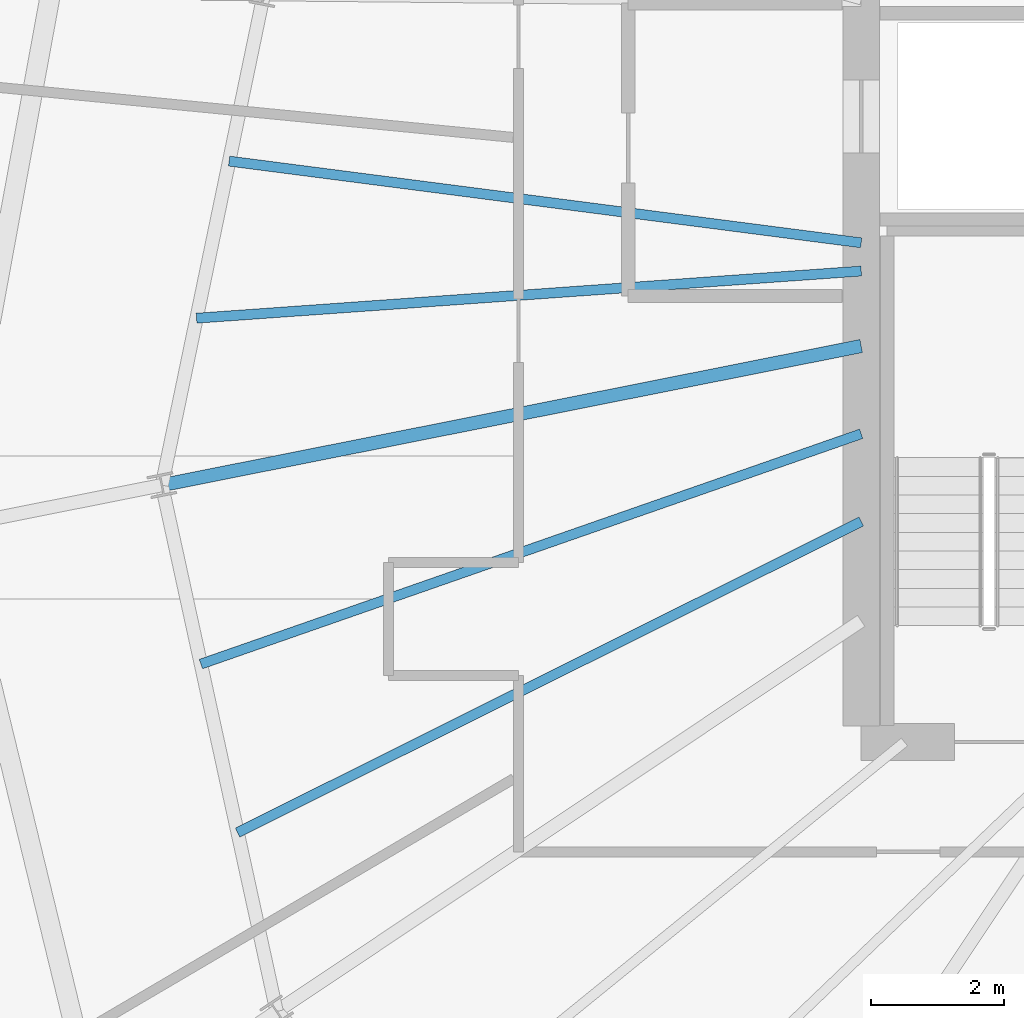
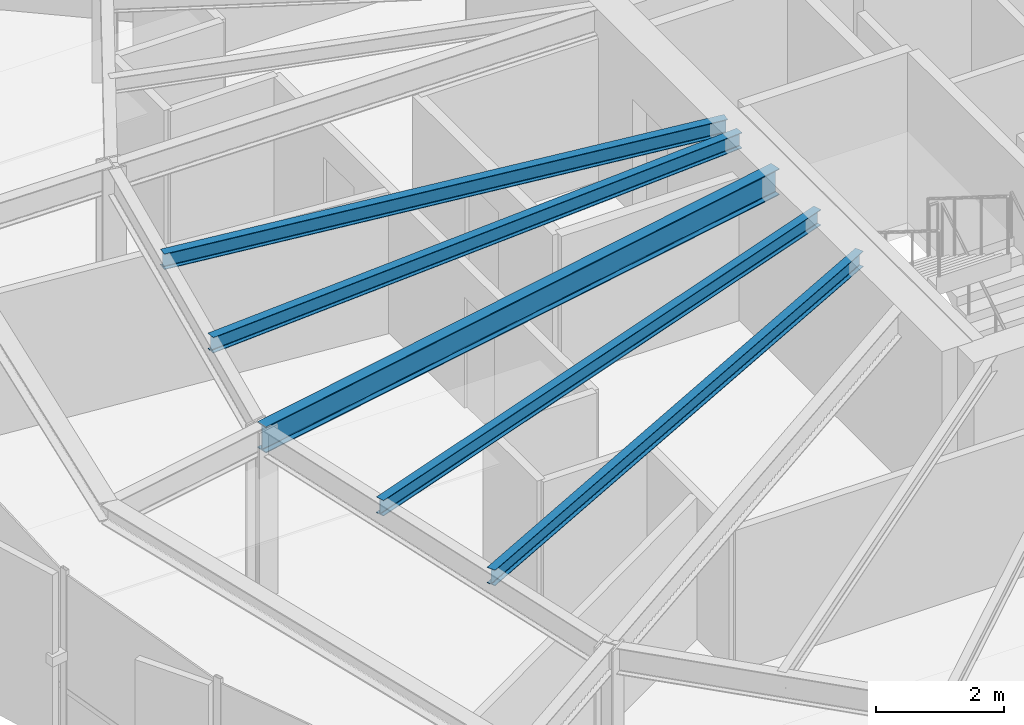
# One storey, part 10 of 34: 5 beams.
"""IFC4 building model written with IfcOpenShell, lengths in metres."""

import ifcopenshell
import ifcopenshell.guid

model = None  # the IFC model being written
_history = None  # IfcOwnerHistory: only IFC2X3 demands one
_inside = {}  # id of a spatial element -> (the spatial element, [elements in it])
_under = {}  # id of a project, library or spatial element -> (it, [spatial elements below it])
_declared = {}  # id of a project -> (the project, [libraries it declares])
_typed = {}  # id of a type object -> (the type object, [elements of that type])
_made_of = {}  # id of a material, layer set ... -> (it, [elements and type objects made of it])


def new_model(schema):
    """Start an empty IFC model of exactly this schema.

    Asked for "IFC4X3", IfcOpenShell would pick the latest addendum, in which some entities
    have other attributes; the version numbers below select the first issue.
    IFC2X3 requires an IfcOwnerHistory on every rooted entity: one is made here for all.
    """
    global model, _history
    if schema == "IFC4X3":
        model = ifcopenshell.file(schema_version=(4, 3, 0, 0))
    else:
        model = ifcopenshell.file(schema=schema)
    _inside.clear()
    _under.clear()
    _declared.clear()
    _typed.clear()
    _made_of.clear()
    _history = None
    if model.schema == "IFC2X3":
        org = make("IfcOrganization", Name="unknown")
        user = make(
            "IfcPersonAndOrganization",
            ThePerson=make("IfcPerson", FamilyName="unknown"),
            TheOrganization=org,
        )
        app = make(
            "IfcApplication",
            ApplicationDeveloper=org,
            Version="unknown",
            ApplicationFullName="unknown",
            ApplicationIdentifier="unknown",
        )
        _history = make(
            "IfcOwnerHistory",
            OwningUser=user,
            OwningApplication=app,
            ChangeAction="ADDED",
            CreationDate=0,
        )
    return model


def make(cls, **values):
    """One entity of the class cls with the attributes given. An attribute that is None is left unset."""
    return model.create_entity(
        cls, **{name: value for name, value in values.items() if value is not None}
    )


def rooted(cls, **values):
    """An entity with a GlobalId (a new one), such as an element, a storey or a relation."""
    return make(cls, GlobalId=ifcopenshell.guid.new(), OwnerHistory=_history, **values)


def si_unit(unit_type, name, prefix=None):
    """IfcSIUnit, for example si_unit("LENGTHUNIT", "METRE", prefix="MILLI")."""
    return make("IfcSIUnit", UnitType=unit_type, Prefix=prefix, Name=name)


def assignment(units):
    """IfcUnitAssignment: the units of a project."""
    return None if units is None else make("IfcUnitAssignment", Units=units)


def point(xyz):
    """IfcCartesianPoint."""
    return None if xyz is None else make("IfcCartesianPoint", Coordinates=xyz)


def direction(xyz):
    """IfcDirection."""
    return None if xyz is None else make("IfcDirection", DirectionRatios=xyz)


def frame(location, z_axis=None, x_axis=None):
    """IfcAxis2Placement3D, a coordinate frame: its origin and axes. An axis left out is left unset."""
    return make(
        "IfcAxis2Placement3D",
        Location=point(location),
        Axis=direction(z_axis),
        RefDirection=direction(x_axis),
    )


def frame_2d(location, x_axis=None):
    """IfcAxis2Placement2D, a coordinate frame in the plane: its origin and x axis."""
    return make(
        "IfcAxis2Placement2D", Location=point(location), RefDirection=direction(x_axis)
    )


def origin():
    """The frame at (0, 0, 0) with its axes left unset."""
    return frame((0.0, 0.0, 0.0))


def origin_2d():
    """The frame at (0, 0) in the plane with its x axis left unset."""
    return frame_2d((0.0, 0.0))


def place(relative_to, where):
    """IfcLocalPlacement: puts the frame where relative to a parent placement (None: the world)."""
    return make(
        "IfcLocalPlacement", PlacementRelTo=relative_to, RelativePlacement=where
    )


def context(
    kind, dimensions, precision=None, world=None, true_north=None, identifier=None
):
    """IfcGeometricRepresentationContext, for example the 3D "Model" context."""
    return make(
        "IfcGeometricRepresentationContext",
        ContextIdentifier=identifier,
        ContextType=kind,
        CoordinateSpaceDimension=dimensions,
        Precision=precision,
        WorldCoordinateSystem=world,
        TrueNorth=true_north,
    )


def subcontext(parent, identifier, kind, view, scale=None):
    """IfcGeometricRepresentationSubContext, for example "Body" below "Model"."""
    return make(
        "IfcGeometricRepresentationSubContext",
        ContextIdentifier=identifier,
        ContextType=kind,
        ParentContext=parent,
        TargetScale=scale,
        TargetView=view,
    )


def project(units=None, contexts=None):
    """IfcProject with its units and contexts."""
    return rooted(
        "IfcProject",
        Name="project",
        RepresentationContexts=contexts,
        UnitsInContext=assignment(units),
    )


def spatial(cls, under=None, at=None, **own):
    """A site, building, storey or space (cls), placed at a placement, below another one or the project."""
    s = rooted(cls, ObjectPlacement=at, **own)
    if under is not None:
        _under.setdefault(under.id(), (under, []))[1].append(s)
    return s


def profile(cls, at=None, kind="AREA", **sizes):
    """A parametric profile (cls). Its sizes go by their IFC names, for example OverallWidth=200.0."""
    return make(cls, ProfileType=kind, Position=at, **sizes)


def i_section(**sizes):
    """IfcIShapeProfileDef."""
    return profile("IfcIShapeProfileDef", **sizes)


def extrude(swept, where, along, depth):
    """IfcExtrudedAreaSolid: the profile swept, set in the frame where, extruded along a direction by depth."""
    return make(
        "IfcExtrudedAreaSolid",
        SweptArea=swept,
        Position=where,
        ExtrudedDirection=direction(along),
        Depth=depth,
    )


def shape(context_of_items, identifier, shape_type, items):
    """IfcShapeRepresentation: the items that make up one representation, for example the "Body"."""
    return make(
        "IfcShapeRepresentation",
        ContextOfItems=context_of_items,
        RepresentationIdentifier=identifier,
        RepresentationType=shape_type,
        Items=items,
    )


def source(mapping_origin, context_of_items, identifier, shape_type, items):
    """IfcRepresentationMap: a shape defined once, which mapped items show again and again."""
    return make(
        "IfcRepresentationMap",
        MappingOrigin=mapping_origin,
        MappedRepresentation=shape(context_of_items, identifier, shape_type, items),
    )


def transform(
    local_origin,
    x_axis=None,
    y_axis=None,
    z_axis=None,
    scale=None,
    scale2=None,
    scale3=None,
    uniform=True,
):
    """IfcCartesianTransformationOperator3D, or its non-uniform kind. x_axis, y_axis, z_axis: its Axis1, 2, 3."""
    if uniform:
        return make(
            "IfcCartesianTransformationOperator3D",
            Axis1=direction(x_axis),
            Axis2=direction(y_axis),
            LocalOrigin=point(local_origin),
            Scale=scale,
            Axis3=direction(z_axis),
        )
    return make(
        "IfcCartesianTransformationOperator3DnonUniform",
        Axis1=direction(x_axis),
        Axis2=direction(y_axis),
        LocalOrigin=point(local_origin),
        Scale=scale,
        Axis3=direction(z_axis),
        Scale2=scale2,
        Scale3=scale3,
    )


def mapped(mapping_source, mapping_target):
    """IfcMappedItem: shows the shape of a source again, moved by a transform."""
    return make(
        "IfcMappedItem", MappingSource=mapping_source, MappingTarget=mapping_target
    )


def material(Name=None, Category=None):
    """IfcMaterial."""
    return make("IfcMaterial", Name=Name, Category=Category)


def material_profile(
    of_material, cross_section, Name=None, Category=None, Priority=None
):
    """IfcMaterialProfile: a cross section and its material."""
    return make(
        "IfcMaterialProfile",
        Name=Name,
        Material=of_material,
        Profile=cross_section,
        Priority=Priority,
        Category=Category,
    )


def profile_set(profiles, Name=None, composite=None):
    """IfcMaterialProfileSet."""
    return make(
        "IfcMaterialProfileSet",
        Name=Name,
        MaterialProfiles=profiles,
        CompositeProfile=composite,
    )


def made_of(thing, what):
    """Note that an element or type object is made of a material, layer set ...; save() writes the relation."""
    if what is not None:
        _made_of.setdefault(what.id(), (what, []))[1].append(thing)
    return thing


def type_object(cls, material=None, **own):
    """A type object (cls), such as IfcWallType, which elements share."""
    return made_of(rooted(cls, **own), material)


def element(
    cls,
    number,
    at=None,
    inside=None,
    cuts=None,
    type_object=None,
    material=None,
    context=None,
    identifier="Body",
    shape_type=None,
    held_by="IfcProductDefinitionShape",
    body=None,
    shapes=None,
    **own,
):
    """One element of the class cls, such as IfcWall. Its Tag is "e" and its number.

    at: its placement. inside: the storey or other place that contains it. cuts: it is an
    opening in that element (IfcRelVoidsElement). A single representation is given by context,
    identifier, shape_type and body (its items); several are given by shapes. held_by: the class
    of the entity that holds the representations. save() writes the other relations.
    """
    e = rooted(cls, Tag="e%d" % number, ObjectPlacement=at, **own)
    if body is not None:
        shapes = [shape(context, identifier, shape_type, body)]
    if shapes is not None:
        e.Representation = make(held_by, Representations=shapes)
    if inside is not None:
        _inside.setdefault(inside.id(), (inside, []))[1].append(e)
    if cuts is not None:
        rooted(
            "IfcRelVoidsElement", RelatingBuildingElement=cuts, RelatedOpeningElement=e
        )
    if type_object is not None:
        _typed.setdefault(type_object.id(), (type_object, []))[1].append(e)
    return made_of(e, material)


def aggregate(whole, parts):
    """IfcRelAggregates: a whole, such as a stair, and the parts it consists of."""
    return rooted("IfcRelAggregates", RelatingObject=whole, RelatedObjects=parts)


def save(model, path):
    """Write the relations noted so far, then the file.

    IfcRelAggregates (storeys below a building ...), IfcRelContainedInSpatialStructure (elements
    in a storey), IfcRelDefinesByType, IfcRelAssociatesMaterial and IfcRelDeclares: one each for
    every whole, place, type object, material and project.
    """
    for whole, parts in _under.values():
        aggregate(whole, parts)
    for where, things in _inside.values():
        rooted(
            "IfcRelContainedInSpatialStructure",
            RelatedElements=things,
            RelatingStructure=where,
        )
    for kind, things in _typed.values():
        rooted("IfcRelDefinesByType", RelatedObjects=things, RelatingType=kind)
    for what, things in _made_of.values():
        rooted("IfcRelAssociatesMaterial", RelatedObjects=things, RelatingMaterial=what)
    for by, libraries in _declared.values():
        rooted("IfcRelDeclares", RelatingContext=by, RelatedDefinitions=libraries)
    model.write(path)


model = new_model("IFC4")

# Units and contexts
model_context = context("Model", 3, precision=1e-05, world=origin(), true_north=direction((0.0, 1.0)))
body_context = subcontext(model_context, "Body", "Model", "MODEL_VIEW")
ifc_project = project(units=[si_unit("LENGTHUNIT", "METRE"), si_unit("AREAUNIT", "SQUARE_METRE"), si_unit("VOLUMEUNIT", "CUBIC_METRE"), si_unit("PLANEANGLEUNIT", "RADIAN"), si_unit("MASSUNIT", "GRAM", prefix="KILO"), si_unit("THERMODYNAMICTEMPERATUREUNIT", "KELVIN")], contexts=[model_context])

# Site, building, storey
site_placement = place(None, origin())
site = spatial("IfcSite", under=ifc_project, at=site_placement, CompositionType="ELEMENT")
building_placement = place(site_placement, origin())
building = spatial("IfcBuilding", under=site, at=building_placement, Name="Kethvar Cultural Tower", CompositionType="ELEMENT")
storey_placement = place(building_placement, frame((0.0, 0.0, 190.39990234375)))
storey = spatial("IfcBuildingStorey", under=building, at=storey_placement, Name="L49", CompositionType="ELEMENT", Elevation=190.39990234375)

# Beams
ifc_material = material(Name="Steel S355J2", Category="steel")
ifc_material_profile_1 = material_profile(ifc_material, i_section(OverallWidth=0.199951171875, OverallDepth=0.5, WebThickness=0.01025390625, FlangeThickness=0.01611328125, FilletRadius=0.02099609375, at=origin_2d()), Name="Steel S355J2 — IPE500")
ifc_profile_set_1 = profile_set([ifc_material_profile_1], Name="Steel S355J2 — IPE500")
beam_type_1 = type_object("IfcBeamType", Name="BM-IPE500", PredefinedType="BEAM", material=ifc_profile_set_1)
shared_shape_1 = source(origin(), body_context, "Body", "SweptSolid", [
    extrude(i_section(OverallWidth=0.199951171875, OverallDepth=0.5, WebThickness=0.01025390625, FlangeThickness=0.01611328125, FilletRadius=0.02099609375, at=origin_2d()), origin(), (0.0, 0.0, 1.0), 10.712890625),
])
beam_1_placement = place(storey_placement, frame((38.0, 26.049560546875, 3.008056640625), z_axis=(-0.980787859831, -0.195077353908, 0.0), x_axis=(0.195077353908, -0.980787859831, 0.0)))
element("IfcBeam", 1, at=beam_1_placement, inside=storey, type_object=beam_type_1, Name="L49 Primary Radial Beam RB-09", PredefinedType="BEAM", context=body_context, shape_type="MappedRepresentation", body=[
    mapped(shared_shape_1, transform((0.0, 0.0, 0.0), scale=1.0)),
])
ifc_material_profile_2 = material_profile(ifc_material, i_section(OverallWidth=0.14990234375, OverallDepth=0.300048828125, WebThickness=0.007080078125, FlangeThickness=0.0107421875, FilletRadius=0.014892578125, at=origin_2d()), Name="Steel S355J2 — IPE300")
ifc_profile_set_2 = profile_set([ifc_material_profile_2], Name="Steel S355J2 — IPE300")
beam_type_2 = type_object("IfcBeamType", Name="BM-J300", PredefinedType="JOIST", material=ifc_profile_set_2)
shared_shape_2 = source(origin(), body_context, "Body", "SweptSolid", [
    extrude(i_section(OverallWidth=0.14990234375, OverallDepth=0.300048828125, WebThickness=0.007080078125, FlangeThickness=0.0107421875, FilletRadius=0.014892578125, at=origin_2d()), origin(), (0.0, 0.0, 1.0), 9.5751953125),
])
beam_2_placement = place(storey_placement, frame((38.0, 27.60009765625, 3.108154296875), z_axis=(-0.991744950922, 0.128226176424, 0.0), x_axis=(-0.128226176424, -0.991744950922, 0.0)))
element("IfcBeam", 2, at=beam_2_placement, inside=storey, type_object=beam_type_2, Name="L49 Composite Floor Joist J-08A", PredefinedType="JOIST", context=body_context, shape_type="MappedRepresentation", body=[
    mapped(shared_shape_2, transform((0.0, 0.0, 0.0), scale=1.0)),
])
shared_shape_3 = source(origin(), body_context, "Body", "SweptSolid", [
    extrude(i_section(OverallWidth=0.14990234375, OverallDepth=0.300048828125, WebThickness=0.007080078125, FlangeThickness=0.0107421875, FilletRadius=0.014892578125, at=origin_2d()), origin(), (0.0, 0.0, 1.0), 10.01123046875),
])
beam_3_placement = place(storey_placement, frame((38.0, 27.17578125, 3.108154296875), z_axis=(-0.997494349679, -0.070746182637, 0.0), x_axis=(0.070746182637, -0.997494349679, 0.0)))
element("IfcBeam", 3, at=beam_3_placement, inside=storey, type_object=beam_type_2, Name="L49 Composite Floor Joist J-08B", PredefinedType="JOIST", context=body_context, shape_type="MappedRepresentation", body=[
    mapped(shared_shape_3, transform((0.0, 0.0, 0.0), scale=1.0)),
])
shared_shape_4 = source(origin(), body_context, "Body", "SweptSolid", [
    extrude(i_section(OverallWidth=0.14990234375, OverallDepth=0.300048828125, WebThickness=0.007080078125, FlangeThickness=0.0107421875, FilletRadius=0.014892578125, at=origin_2d()), origin(), (0.0, 0.0, 1.0), 10.506591796875),
])
beam_4_placement = place(storey_placement, frame((38.0, 24.73095703125, 3.108154296875), z_axis=(-0.944221858738, -0.329310008171, 0.0), x_axis=(0.329310008171, -0.944221858738, 0.0)))
element("IfcBeam", 4, at=beam_4_placement, inside=storey, type_object=beam_type_2, Name="L49 Composite Floor Joist J-09A", PredefinedType="JOIST", context=body_context, shape_type="MappedRepresentation", body=[
    mapped(shared_shape_4, transform((0.0, 0.0, 0.0), scale=1.0)),
])
shared_shape_5 = source(origin(), body_context, "Body", "SweptSolid", [
    extrude(i_section(OverallWidth=0.14990234375, OverallDepth=0.300048828125, WebThickness=0.007080078125, FlangeThickness=0.0107421875, FilletRadius=0.014892578125, at=origin_2d()), origin(), (0.0, 0.0, 1.0), 10.468994140625),
])
beam_5_placement = place(storey_placement, frame((38.0, 23.412109375, 3.108154296875), z_axis=(-0.894916380948, -0.446233874904, 0.0), x_axis=(0.446233874904, -0.894916380948, 0.0)))
element("IfcBeam", 5, at=beam_5_placement, inside=storey, type_object=beam_type_2, Name="L49 Composite Floor Joist J-09B", PredefinedType="JOIST", context=body_context, shape_type="MappedRepresentation", body=[
    mapped(shared_shape_5, transform((0.0, 0.0, 0.0), scale=1.0)),
])

save(model, "model.ifc")
